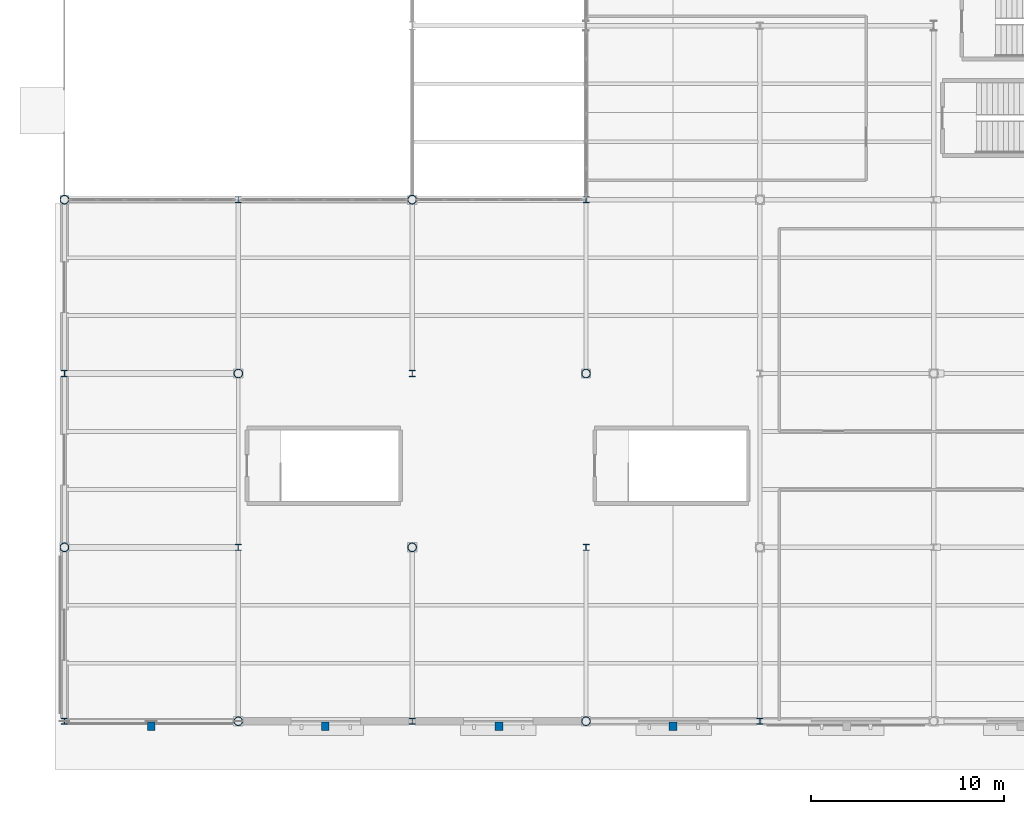
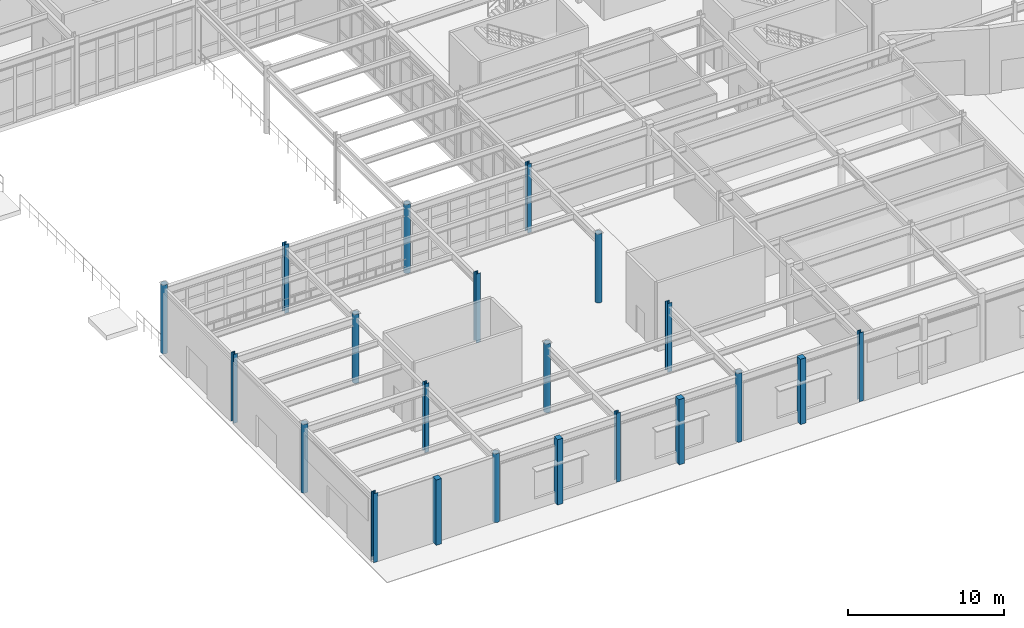
# One storey, part 1 of 79: 21 columns.
"""IFC4 building model written with IfcOpenShell, lengths in metres."""

from ifc_helpers import new_model, si_unit, direction, frame, origin, origin_2d, place, context, subcontext, project, spatial, rectangle, hollow_circle, i_section, extrude, material, material_profile, profile_set, type_object, element, save


model = new_model("IFC4")

# Units and contexts
model_context = context("Model", 3, precision=1e-05, world=origin(), true_north=direction((0.0, 1.0)))
body_context = subcontext(model_context, "Body", "Model", "MODEL_VIEW")
ifc_project = project(units=[si_unit("LENGTHUNIT", "METRE"), si_unit("AREAUNIT", "SQUARE_METRE"), si_unit("VOLUMEUNIT", "CUBIC_METRE"), si_unit("PLANEANGLEUNIT", "RADIAN"), si_unit("MASSUNIT", "GRAM", prefix="KILO")], contexts=[model_context])

# Site, building, storey
site_placement = place(None, origin())
site = spatial("IfcSite", under=ifc_project, at=site_placement, CompositionType="ELEMENT")
building_placement = place(site_placement, origin())
building = spatial("IfcBuilding", under=site, at=building_placement, Name="Glasvene Arena", CompositionType="ELEMENT")
storey_placement = place(building_placement, origin())
storey = spatial("IfcBuildingStorey", under=building, at=storey_placement, Name="L00", CompositionType="ELEMENT", Elevation=0.0)

# Columns
ifc_material_1 = material(Name="Steel S355J2", Category="steel")
ifc_material_profile_1 = material_profile(ifc_material_1, hollow_circle(Radius=0.228515625, WallThickness=0.02001953125, at=origin_2d()), Name="CHS 457.0x20.0")
ifc_profile_set_1 = profile_set([ifc_material_profile_1], Name="Steel S355J2")
column_type_1 = type_object("IfcColumnType", Name="COL-W-CHS457", PredefinedType="COLUMN", material=ifc_profile_set_1)
for number, where, z_axis, x_axis, name in (
    (1, (0.0, 9.0, 0.0), (0.0, 0.0, 1.0), (1.0, 0.0, 0.0), "Grid column 1-2 L00"),
    (2, (0.0, 27.0, 0.0), (0.0, 0.0, 1.0), (1.0, 0.0, 0.0), "Grid column 1-4 L00"),
    (3, (9.0, 0.0, 0.0), (0.0, 0.0, 1.0), (1.0, 0.0, 0.0), "Grid column 2-1 L00"),
    (4, (9.0, 18.0, 0.0), (0.0, 0.0, 1.0), (1.0, 0.0, 0.0), "Grid column 2-3 L00"),
    (5, (18.0, 9.0, 0.0), (0.0, 0.0, 1.0), (1.0, 0.0, 0.0), "Grid column 3-2 L00"),
    (6, (18.0, 27.0, 0.0), (0.0, 0.0, 1.0), (1.0, 0.0, 0.0), "Grid column 3-4 L00"),
    (7, (27.0, 0.0, 0.0), (0.0, 0.0, 1.0), (1.0, 0.0, 0.0), "Grid column 4-1 L00"),
    (8, (27.0, 18.0, 0.0), (0.0, 0.0, 1.0), (1.0, 0.0, 0.0), "Grid column 4-3 L00"),
):
    element("IfcColumn", number, at=place(storey_placement, frame(where, z_axis=z_axis, x_axis=x_axis)), inside=storey, type_object=column_type_1, Name=name, PredefinedType="COLUMN", context=body_context, shape_type="SweptSolid", body=[
        extrude(hollow_circle(Radius=0.228515625, WallThickness=0.02001953125, at=origin_2d()), origin(), (0.0, 0.0, 1.0), 5.39990234375),
    ])
ifc_material_profile_2 = material_profile(ifc_material_1, i_section(OverallWidth=0.30908203125, OverallDepth=0.320556640625, WebThickness=0.013916015625, FlangeThickness=0.021728515625, FilletRadius=0.01513671875, at=origin_2d()), Name="UKC 305x305x137")
ifc_profile_set_2 = profile_set([ifc_material_profile_2], Name="Steel S355J2")
column_type_2 = type_object("IfcColumnType", Name="COL-W-UKC137", PredefinedType="COLUMN", material=ifc_profile_set_2)
for number, where, z_axis, x_axis, name in (
    (9, (0.0, 0.0, 0.0), (0.0, 0.0, 1.0), (1.0, 0.0, 0.0), "Grid column 1-1 L00"),
    (10, (0.0, 18.0, 0.0), (0.0, 0.0, 1.0), (1.0, 0.0, 0.0), "Grid column 1-3 L00"),
    (11, (9.0, 9.0, 0.0), (0.0, 0.0, 1.0), (1.0, 0.0, 0.0), "Grid column 2-2 L00"),
    (12, (9.0, 27.0, 0.0), (0.0, 0.0, 1.0), (1.0, 0.0, 0.0), "Grid column 2-4 L00"),
    (13, (18.0, 0.0, 0.0), (0.0, 0.0, 1.0), (1.0, 0.0, 0.0), "Grid column 3-1 L00"),
    (14, (18.0, 18.0, 0.0), (0.0, 0.0, 1.0), (1.0, 0.0, 0.0), "Grid column 3-3 L00"),
    (15, (27.0, 9.0, 0.0), (0.0, 0.0, 1.0), (1.0, 0.0, 0.0), "Grid column 4-2 L00"),
    (16, (27.0, 27.0, 0.0), (0.0, 0.0, 1.0), (1.0, 0.0, 0.0), "Grid column 4-4 L00"),
    (17, (36.0, 0.0, 0.0), (0.0, 0.0, 1.0), (1.0, 0.0, 0.0), "Grid column 5-1 L00"),
):
    element("IfcColumn", number, at=place(storey_placement, frame(where, z_axis=z_axis, x_axis=x_axis)), inside=storey, type_object=column_type_2, Name=name, PredefinedType="COLUMN", context=body_context, shape_type="SweptSolid", body=[
        extrude(i_section(OverallWidth=0.30908203125, OverallDepth=0.320556640625, WebThickness=0.013916015625, FlangeThickness=0.021728515625, FilletRadius=0.01513671875, at=origin_2d()), origin(), (0.0, 0.0, 1.0), 5.39990234375),
    ])
ifc_material_2 = material(Name="Precast concrete C50/60", Category="concrete")
ifc_material_profile_3 = material_profile(ifc_material_2, rectangle(XDim=0.39990234375, YDim=0.449951171875, at=origin_2d()), Name="RC 400x450")
ifc_profile_set_3 = profile_set([ifc_material_profile_3], Name="Precast concrete C50/60")
column_type_3 = type_object("IfcColumnType", Name="PIL-LIM-400", PredefinedType="PILASTER", material=ifc_profile_set_3)
for number, where, z_axis, x_axis, name in (
    (18, (4.5, -0.260009765625, 0.0), (0.0, 0.0, 1.0), (1.0, 0.0, 0.0), "Limestone pilaster PL-01 L00"),
    (19, (13.5, -0.260009765625, 0.0), (0.0, 0.0, 1.0), (1.0, 0.0, 0.0), "Limestone pilaster PL-02 L00"),
    (20, (22.5, -0.260009765625, 0.0), (0.0, 0.0, 1.0), (1.0, 0.0, 0.0), "Limestone pilaster PL-03 L00"),
    (21, (31.5, -0.260009765625, 0.0), (0.0, 0.0, 1.0), (1.0, 0.0, 0.0), "Limestone pilaster PL-04 L00"),
):
    element("IfcColumn", number, at=place(storey_placement, frame(where, z_axis=z_axis, x_axis=x_axis)), inside=storey, type_object=column_type_3, Name=name, PredefinedType="PILASTER", context=body_context, shape_type="SweptSolid", body=[
        extrude(rectangle(XDim=0.39990234375, YDim=0.449951171875, at=origin_2d()), origin(), (0.0, 0.0, 1.0), 5.1201171875),
    ])

save(model, "model.ifc")
